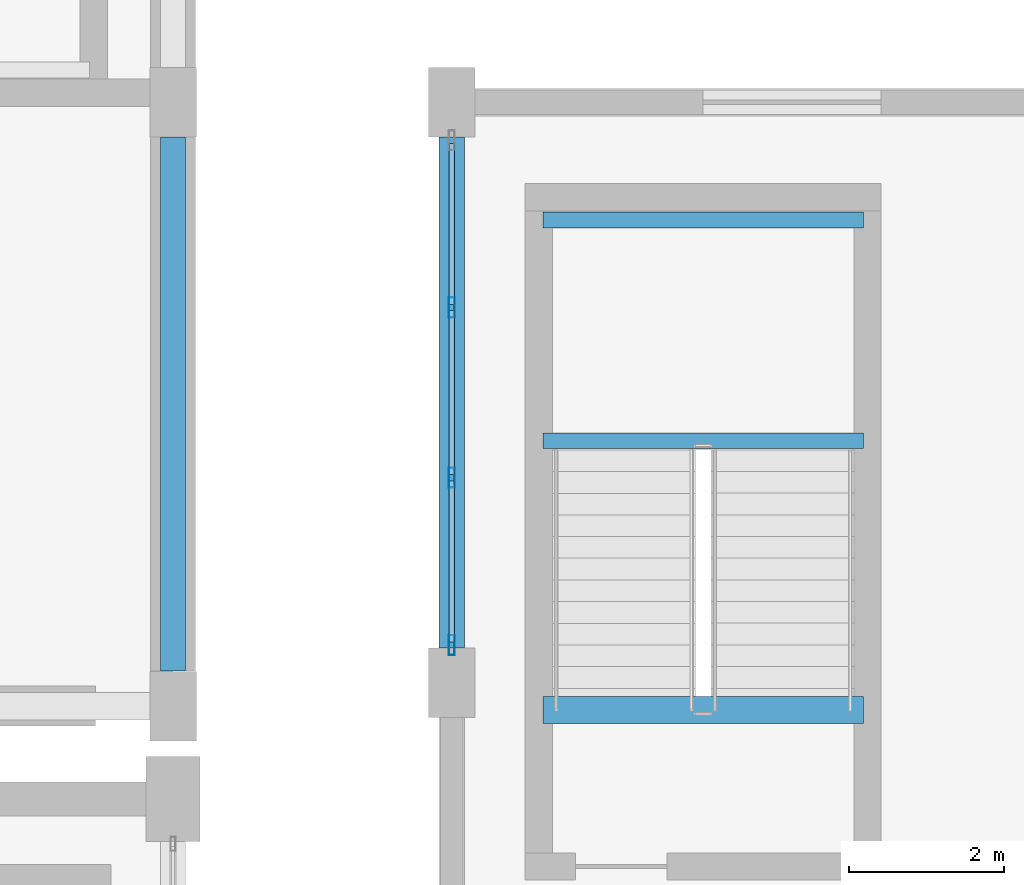
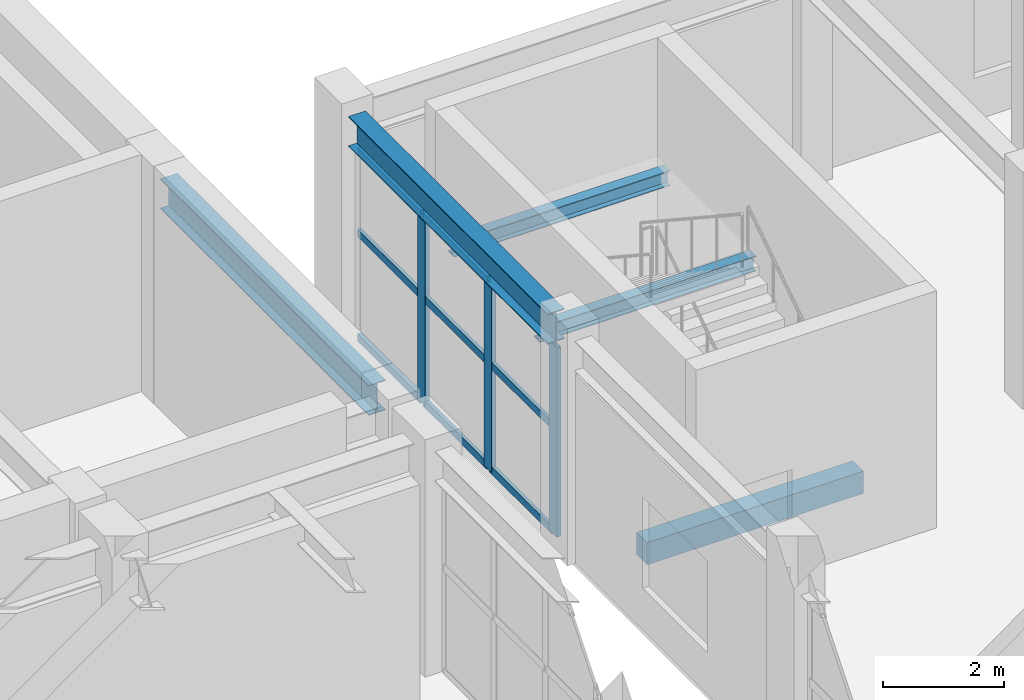
# One storey, part 46 of 85: 12 members, 5 beams, 1 element without a shape of its own.
"""IFC4 building model written with IfcOpenShell, lengths in metres."""

from ifc_helpers import new_model, si_unit, direction, frame, origin, origin_2d, place, context, subcontext, project, spatial, rectangle, hollow_rectangle, i_section, extrude, material, layer, layer_set, material_profile, profile_set, type_object, element, aggregate, save


model = new_model("IFC4")

# Units and contexts
model_context = context("Model", 3, precision=1e-05, world=origin(), true_north=direction((0.0, 1.0)))
body_context = subcontext(model_context, "Body", "Model", "MODEL_VIEW")
ifc_project = project(units=[si_unit("LENGTHUNIT", "METRE"), si_unit("AREAUNIT", "SQUARE_METRE"), si_unit("VOLUMEUNIT", "CUBIC_METRE"), si_unit("PLANEANGLEUNIT", "RADIAN"), si_unit("MASSUNIT", "GRAM", prefix="KILO")], contexts=[model_context])

# Site, building, storey
site_placement = place(None, origin())
site = spatial("IfcSite", under=ifc_project, at=site_placement, CompositionType="ELEMENT")
building_placement = place(site_placement, origin())
building = spatial("IfcBuilding", under=site, at=building_placement, Name="Vaelkrest Opera House", CompositionType="ELEMENT")
storey_placement = place(building_placement, frame((0.0, 0.0, 10.199951171875)))
storey = spatial("IfcBuildingStorey", under=building, at=storey_placement, Name="L02", CompositionType="ELEMENT", Elevation=10.199951171875)

# Curtain wall, members
ifc_material_1 = material(Name="Dark bronze anodized aluminium", Category="aluminium")
ifc_layer = layer(ifc_material_1, 0.25)
ifc_layer_set = layer_set([ifc_layer], Name="Dark bronze anodized aluminium")
curtain_wall_type = type_object("IfcCurtainWallType", Name="CW08", PredefinedType="NOTDEFINED", material=ifc_layer_set)
curtain_wall_placement = place(storey_placement, origin())
curtain_wall = element("IfcCurtainWall", 1, at=curtain_wall_placement, inside=storey, type_object=curtain_wall_type, Name="Curtain wall CW-L02-163", PredefinedType="NOTDEFINED")
ifc_material_profile_1 = material_profile(ifc_material_1, hollow_rectangle(XDim=0.080078125, YDim=0.260009765625, WallThickness=0.0048828125, at=origin_2d()), Name="CWM80X260")
ifc_profile_set_1 = profile_set([ifc_material_profile_1], Name="Dark bronze anodized aluminium")
member_type_1 = type_object("IfcMemberType", Name="CWM04", PredefinedType="MULLION", material=ifc_profile_set_1)
member_1_placement = place(storey_placement, frame((33.60009765625, 18.18798828125, 0.0), z_axis=(0.0, 0.0, 1.0), x_axis=(-1.0, 0.0, 0.0)))
member_1 = element("IfcMember", 2, at=member_1_placement, type_object=member_type_1, Name="CW08 mullion 1", PredefinedType="MULLION", context=body_context, shape_type="SweptSolid", body=[
    extrude(hollow_rectangle(XDim=0.080078125, YDim=0.260009765625, WallThickness=0.0048828125, at=origin_2d()), origin(), (0.0, 0.0, 1.0), 3.8291015625),
])
member_2_placement = place(storey_placement, frame((33.60009765625, 20.349365234375, 0.0), z_axis=(0.0, 0.0, 1.0), x_axis=(-1.0, 0.0, 0.0)))
member_2 = element("IfcMember", 3, at=member_2_placement, type_object=member_type_1, Name="CW08 mullion 2", PredefinedType="MULLION", context=body_context, shape_type="SweptSolid", body=[
    extrude(hollow_rectangle(XDim=0.080078125, YDim=0.260009765625, WallThickness=0.0048828125, at=origin_2d()), origin(), (0.0, 0.0, 1.0), 3.8291015625),
])
member_3_placement = place(storey_placement, frame((33.60009765625, 22.55078125, 0.0), z_axis=(0.0, 0.0, 1.0), x_axis=(-1.0, 0.0, 0.0)))
member_3 = element("IfcMember", 4, at=member_3_placement, type_object=member_type_1, Name="CW08 mullion 3", PredefinedType="MULLION", context=body_context, shape_type="SweptSolid", body=[
    extrude(hollow_rectangle(XDim=0.080078125, YDim=0.260009765625, WallThickness=0.0048828125, at=origin_2d()), origin(), (0.0, 0.0, 1.0), 3.8291015625),
])
ifc_material_profile_2 = material_profile(ifc_material_1, hollow_rectangle(XDim=0.070068359375, YDim=0.14990234375, WallThickness=0.004150390625, at=origin_2d()), Name="CWT70X150")
ifc_profile_set_2 = profile_set([ifc_material_profile_2], Name="Dark bronze anodized aluminium")
member_type_2 = type_object("IfcMemberType", Name="CWT02", PredefinedType="USERDEFINED", material=ifc_profile_set_2)
member_4_placement = place(storey_placement, frame((33.60009765625, 18.22802734375, 0.03515625), z_axis=(0.0, 1.0, 0.0), x_axis=(-1.0, 0.0, 0.0)))
member_4 = element("IfcMember", 5, at=member_4_placement, type_object=member_type_2, Name="CW08 transom 1.1", ObjectType="TRANSOM", PredefinedType="USERDEFINED", context=body_context, shape_type="SweptSolid", body=[
    extrude(hollow_rectangle(XDim=0.070068359375, YDim=0.14990234375, WallThickness=0.004150390625, at=origin_2d()), origin(), (0.0, 0.0, 1.0), 2.081298828125),
])
member_5_placement = place(storey_placement, frame((33.60009765625, 18.22802734375, 2.150146484375), z_axis=(0.0, 1.0, 0.0), x_axis=(-1.0, 0.0, 0.0)))
member_5 = element("IfcMember", 6, at=member_5_placement, type_object=member_type_2, Name="CW08 transom 1.2", ObjectType="TRANSOM", PredefinedType="USERDEFINED", context=body_context, shape_type="SweptSolid", body=[
    extrude(hollow_rectangle(XDim=0.070068359375, YDim=0.14990234375, WallThickness=0.004150390625, at=origin_2d()), origin(), (0.0, 0.0, 1.0), 2.081298828125),
])
member_6_placement = place(storey_placement, frame((33.60009765625, 18.22802734375, 3.7939453125), z_axis=(0.0, 1.0, 0.0), x_axis=(-1.0, 0.0, 0.0)))
member_6 = element("IfcMember", 7, at=member_6_placement, type_object=member_type_2, Name="CW08 transom 1.3", ObjectType="TRANSOM", PredefinedType="USERDEFINED", context=body_context, shape_type="SweptSolid", body=[
    extrude(hollow_rectangle(XDim=0.070068359375, YDim=0.14990234375, WallThickness=0.004150390625, at=origin_2d()), origin(), (0.0, 0.0, 1.0), 2.081298828125),
])
member_7_placement = place(storey_placement, frame((33.60009765625, 20.389404296875, 0.03515625), z_axis=(0.0, 1.0, 0.0), x_axis=(-1.0, 0.0, 0.0)))
member_7 = element("IfcMember", 8, at=member_7_placement, type_object=member_type_2, Name="CW08 transom 2.1", ObjectType="TRANSOM", PredefinedType="USERDEFINED", context=body_context, shape_type="SweptSolid", body=[
    extrude(hollow_rectangle(XDim=0.070068359375, YDim=0.14990234375, WallThickness=0.004150390625, at=origin_2d()), origin(), (0.0, 0.0, 1.0), 2.121337890625),
])
member_8_placement = place(storey_placement, frame((33.60009765625, 20.389404296875, 2.150146484375), z_axis=(0.0, 1.0, 0.0), x_axis=(-1.0, 0.0, 0.0)))
member_8 = element("IfcMember", 9, at=member_8_placement, type_object=member_type_2, Name="CW08 transom 2.2", ObjectType="TRANSOM", PredefinedType="USERDEFINED", context=body_context, shape_type="SweptSolid", body=[
    extrude(hollow_rectangle(XDim=0.070068359375, YDim=0.14990234375, WallThickness=0.004150390625, at=origin_2d()), origin(), (0.0, 0.0, 1.0), 2.121337890625),
])
member_9_placement = place(storey_placement, frame((33.60009765625, 20.389404296875, 3.7939453125), z_axis=(0.0, 1.0, 0.0), x_axis=(-1.0, 0.0, 0.0)))
member_9 = element("IfcMember", 10, at=member_9_placement, type_object=member_type_2, Name="CW08 transom 2.3", ObjectType="TRANSOM", PredefinedType="USERDEFINED", context=body_context, shape_type="SweptSolid", body=[
    extrude(hollow_rectangle(XDim=0.070068359375, YDim=0.14990234375, WallThickness=0.004150390625, at=origin_2d()), origin(), (0.0, 0.0, 1.0), 2.121337890625),
])
member_10_placement = place(storey_placement, frame((33.60009765625, 22.590576171875, 0.03515625), z_axis=(0.0, 1.0, 0.0), x_axis=(-1.0, 0.0, 0.0)))
member_10 = element("IfcMember", 11, at=member_10_placement, type_object=member_type_2, Name="CW08 transom 3.1", ObjectType="TRANSOM", PredefinedType="USERDEFINED", context=body_context, shape_type="SweptSolid", body=[
    extrude(hollow_rectangle(XDim=0.070068359375, YDim=0.14990234375, WallThickness=0.004150390625, at=origin_2d()), origin(), (0.0, 0.0, 1.0), 2.08154296875),
])
member_11_placement = place(storey_placement, frame((33.60009765625, 22.590576171875, 2.150146484375), z_axis=(0.0, 1.0, 0.0), x_axis=(-1.0, 0.0, 0.0)))
member_11 = element("IfcMember", 12, at=member_11_placement, type_object=member_type_2, Name="CW08 transom 3.2", ObjectType="TRANSOM", PredefinedType="USERDEFINED", context=body_context, shape_type="SweptSolid", body=[
    extrude(hollow_rectangle(XDim=0.070068359375, YDim=0.14990234375, WallThickness=0.004150390625, at=origin_2d()), origin(), (0.0, 0.0, 1.0), 2.08154296875),
])
member_12_placement = place(storey_placement, frame((33.60009765625, 22.590576171875, 3.7939453125), z_axis=(0.0, 1.0, 0.0), x_axis=(-1.0, 0.0, 0.0)))
member_12 = element("IfcMember", 13, at=member_12_placement, type_object=member_type_2, Name="CW08 transom 3.3", ObjectType="TRANSOM", PredefinedType="USERDEFINED", context=body_context, shape_type="SweptSolid", body=[
    extrude(hollow_rectangle(XDim=0.070068359375, YDim=0.14990234375, WallThickness=0.004150390625, at=origin_2d()), origin(), (0.0, 0.0, 1.0), 2.08154296875),
])
aggregate(curtain_wall, [member_1, member_2, member_3, member_4, member_5, member_6, member_7, member_8, member_9, member_10, member_11, member_12])

# Beams
ifc_material_2 = material(Name="Steel A992 Gr50", Category="steel")
ifc_material_profile_3 = material_profile(ifc_material_2, i_section(OverallWidth=0.202880859375, OverallDepth=0.302978515625, WebThickness=0.007568359375, FlangeThickness=0.01318359375, at=origin_2d()), Name="W12X40")
ifc_profile_set_3 = profile_set([ifc_material_profile_3], Name="Steel A992 Gr50")
beam_type_1 = type_object("IfcBeamType", Name="J02", PredefinedType="JOIST", material=ifc_profile_set_3)
for number, where, z_axis, x_axis, name in (
    (14, (34.780029296875, 20.830078125, 2.048583984375), (1.0, 0.0, 0.0), (0.0, 1.0, 0.0), "Stair landing bearer beam ST09 L02-1N"),
    (15, (34.780029296875, 23.679931640625, 2.048583984375), (1.0, 0.0, 0.0), (0.0, 1.0, 0.0), "Stair landing bearer beam ST09 L02-1F"),
):
    element("IfcBeam", number, at=place(storey_placement, frame(where, z_axis=z_axis, x_axis=x_axis)), inside=storey, type_object=beam_type_1, Name=name, PredefinedType="JOIST", context=body_context, shape_type="SweptSolid", body=[
        extrude(i_section(OverallWidth=0.202880859375, OverallDepth=0.302978515625, WebThickness=0.007568359375, FlangeThickness=0.01318359375, at=origin_2d()), origin(), (0.0, 0.0, 1.0), 4.139892578125),
    ])
ifc_material_3 = material(Name="Concrete C50/60", Category="concrete")
ifc_material_profile_4 = material_profile(ifc_material_3, rectangle(XDim=0.35009765625, YDim=0.449951171875, at=origin_2d()), Name="RCB350X450")
ifc_profile_set_4 = profile_set([ifc_material_profile_4], Name="Concrete C50/60")
beam_type_2 = type_object("IfcBeamType", Name="LN01", PredefinedType="LINTEL", material=ifc_profile_set_4)
beam_1_placement = place(storey_placement, frame((34.780029296875, 17.35009765625, -0.224853515625), z_axis=(1.0, 0.0, 0.0), x_axis=(0.0, 1.0, 0.0)))
element("IfcBeam", 16, at=beam_1_placement, inside=storey, type_object=beam_type_2, Name="Stairwell trimmer beam ST09 L02", PredefinedType="LINTEL", context=body_context, shape_type="SweptSolid", body=[
    extrude(rectangle(XDim=0.35009765625, YDim=0.449951171875, at=origin_2d()), origin(), (0.0, 0.0, 1.0), 4.139892578125),
])
ifc_material_profile_5 = material_profile(ifc_material_2, i_section(OverallWidth=0.323974609375, OverallDepth=0.611083984375, WebThickness=0.0126953125, FlangeThickness=0.01904296875, at=origin_2d()), Name="W24X104")
ifc_profile_set_5 = profile_set([ifc_material_profile_5], Name="Steel A992 Gr50")
beam_type_3 = type_object("IfcBeamType", Name="SP01", PredefinedType="SPANDREL", material=ifc_profile_set_5)
beam_2_placement = place(storey_placement, frame((30.0, 17.85009765625, 4.199462890625), z_axis=(0.0, 1.0, 0.0), x_axis=(-1.0, 0.0, 0.0)))
element("IfcBeam", 17, at=beam_2_placement, inside=storey, type_object=beam_type_3, Name="Beam BM-V2-L02-1017", PredefinedType="SPANDREL", context=body_context, shape_type="SweptSolid", body=[
    extrude(i_section(OverallWidth=0.323974609375, OverallDepth=0.611083984375, WebThickness=0.0126953125, FlangeThickness=0.01904296875, at=origin_2d()), origin(), (0.0, 0.0, 1.0), 6.89990234375),
])
beam_3_placement = place(storey_placement, frame((33.60009765625, 18.14990234375, 4.199462890625), z_axis=(0.0, 1.0, 0.0), x_axis=(-1.0, 0.0, 0.0)))
element("IfcBeam", 18, at=beam_3_placement, inside=storey, type_object=beam_type_3, Name="Beam BM-V4-L02-2285", PredefinedType="SPANDREL", context=body_context, shape_type="SweptSolid", body=[
    extrude(i_section(OverallWidth=0.323974609375, OverallDepth=0.611083984375, WebThickness=0.0126953125, FlangeThickness=0.01904296875, at=origin_2d()), origin(), (0.0, 0.0, 1.0), 6.60009765625),
])

save(model, "model.ifc")
